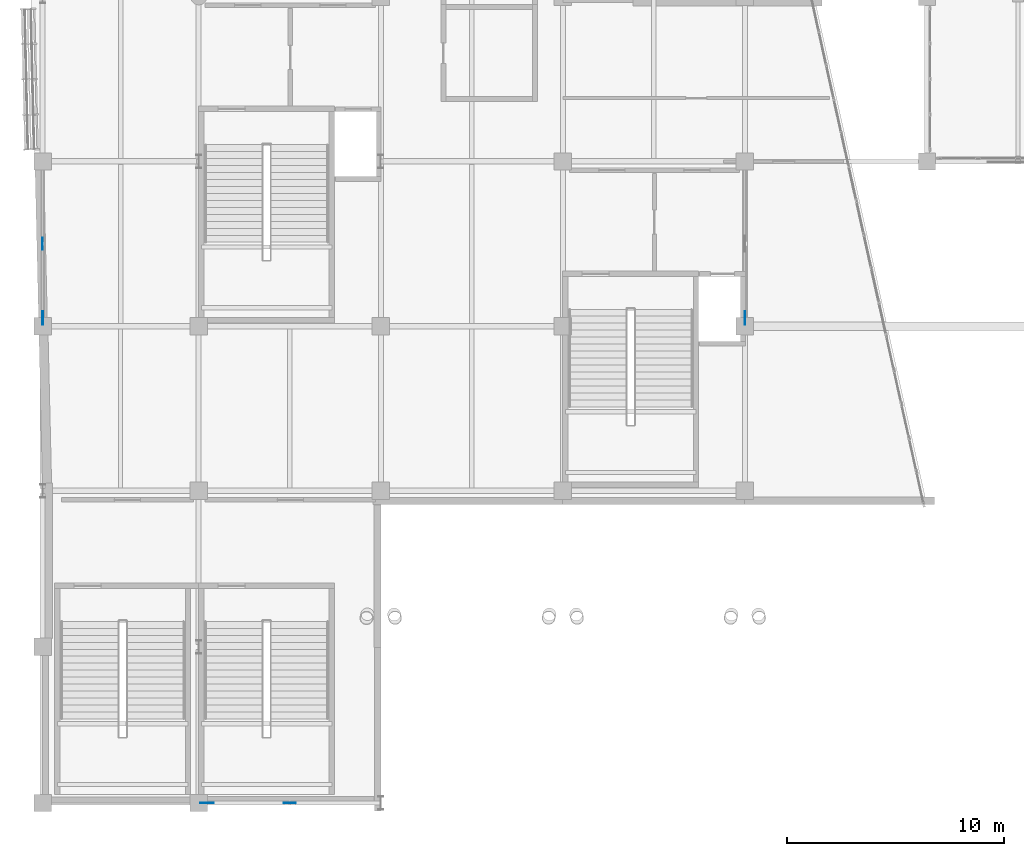
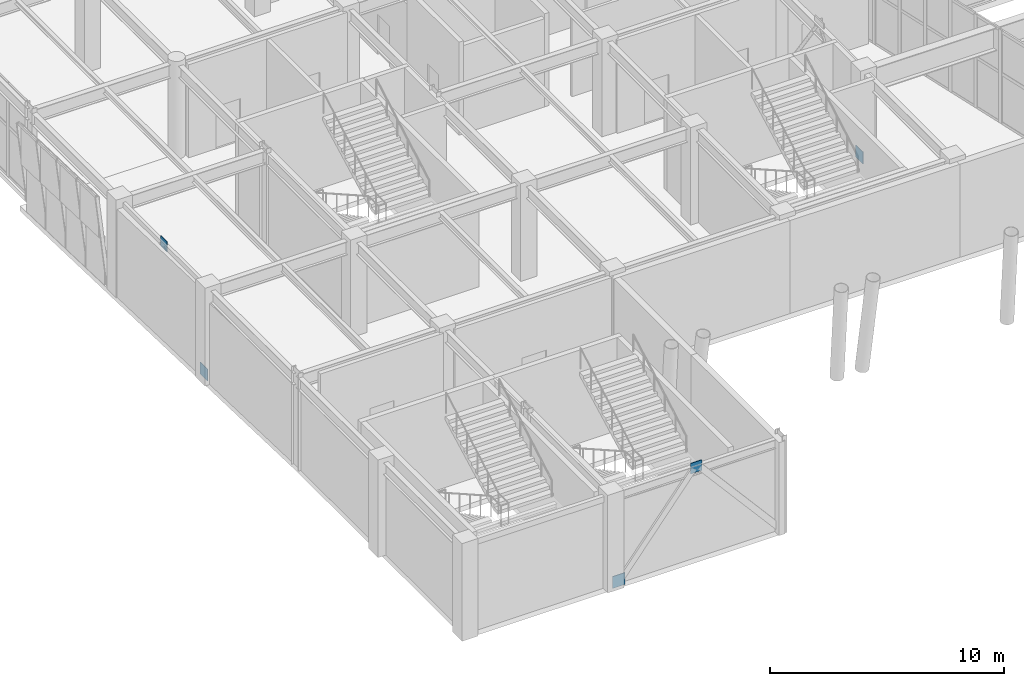
# One storey, part 106 of 128: 5 plates.
"""IFC4 building model written with IfcOpenShell, lengths in metres."""

from ifc_helpers import new_model, si_unit, direction, frame, origin, origin_2d, place, context, subcontext, project, spatial, rectangle, extrude, material, layer, layer_set, type_object, element, save


model = new_model("IFC4")

# Units and contexts
model_context = context("Model", 3, precision=1e-05, world=origin(), true_north=direction((0.0, 1.0)))
body_context = subcontext(model_context, "Body", "Model", "MODEL_VIEW")
ifc_project = project(units=[si_unit("LENGTHUNIT", "METRE"), si_unit("AREAUNIT", "SQUARE_METRE"), si_unit("VOLUMEUNIT", "CUBIC_METRE"), si_unit("PLANEANGLEUNIT", "RADIAN"), si_unit("MASSUNIT", "GRAM", prefix="KILO")], contexts=[model_context])

# Site, building, storey
site_placement = place(None, origin())
site = spatial("IfcSite", under=ifc_project, at=site_placement, CompositionType="ELEMENT")
building_placement = place(site_placement, origin())
building = spatial("IfcBuilding", under=site, at=building_placement, Name="Xicomal Pleat Aquarium", CompositionType="ELEMENT")
storey_placement = place(building_placement, frame((0.0, 0.0, 5.39990234375)))
storey = spatial("IfcBuildingStorey", under=building, at=storey_placement, Name="L02", CompositionType="ELEMENT", Elevation=5.39990234375)

# Plates
ifc_material_1 = material(Name="Structural steel A992 Gr 50", Category="steel")
ifc_layer_1 = layer(ifc_material_1, 0.030029296875)
ifc_layer_set_1 = layer_set([ifc_layer_1], Name="Structural steel A992 Gr 50")
plate_type_1 = type_object("IfcPlateType", Name="PLT-CAP-30", PredefinedType="SHEET", material=ifc_layer_set_1)
for number, where, z_axis, x_axis, name in (
    (1, (3.0, 23.179931640625, -0.159912109375), (0.0, 0.0, 1.0), (0.0, 1.0, 0.0), "L02 HSS end cap plate 3"),
    (2, (35.39990234375, 23.179931640625, -0.159912109375), (0.0, 0.0, 1.0), (0.0, 1.0, 0.0), "L02 HSS end cap plate 13"),
    (3, (10.580078125, 0.800048828125, -0.159912109375), (0.0, 0.0, 1.0), (1.0, 0.0, 0.0), "L02 HSS end cap plate 33"),
):
    element("IfcPlate", number, at=place(storey_placement, frame(where, z_axis=z_axis, x_axis=x_axis)), inside=storey, type_object=plate_type_1, Name=name, PredefinedType="SHEET", context=body_context, shape_type="SweptSolid", body=[
        extrude(rectangle(XDim=0.6201171875, YDim=0.030029296875, at=origin_2d()), origin(), (0.0, 0.0, 1.0), 0.6201171875),
    ])
ifc_material_2 = material(Name="Structural steel A992 Gr 50", Category="steel")
ifc_layer_2 = layer(ifc_material_2, 0.02490234375)
ifc_layer_set_2 = layer_set([ifc_layer_2], Name="Structural steel A992 Gr 50")
plate_type_2 = type_object("IfcPlateType", Name="PLT-GUS-25", PredefinedType="USERDEFINED", material=ifc_layer_set_2)
for number, where, z_axis, x_axis, name in (
    (4, (3.0, 26.60009765625, 4.47509765625), (0.0, 0.0, 1.0), (0.0, 1.0, 0.0), "L02 chevron gusset node plate 3"),
    (5, (14.39990234375, 0.800048828125, 4.47509765625), (0.0, 0.0, 1.0), (1.0, 0.0, 0.0), "L02 chevron gusset node plate 33"),
):
    element("IfcPlate", number, at=place(storey_placement, frame(where, z_axis=z_axis, x_axis=x_axis)), inside=storey, type_object=plate_type_2, Name=name, ObjectType="GUSSET PLATE", PredefinedType="USERDEFINED", context=body_context, shape_type="SweptSolid", body=[
        extrude(rectangle(XDim=0.550048828125, YDim=0.02490234375, at=origin_2d()), origin(), (0.0, 0.0, 1.0), 0.550048828125),
    ])

save(model, "model.ifc")
